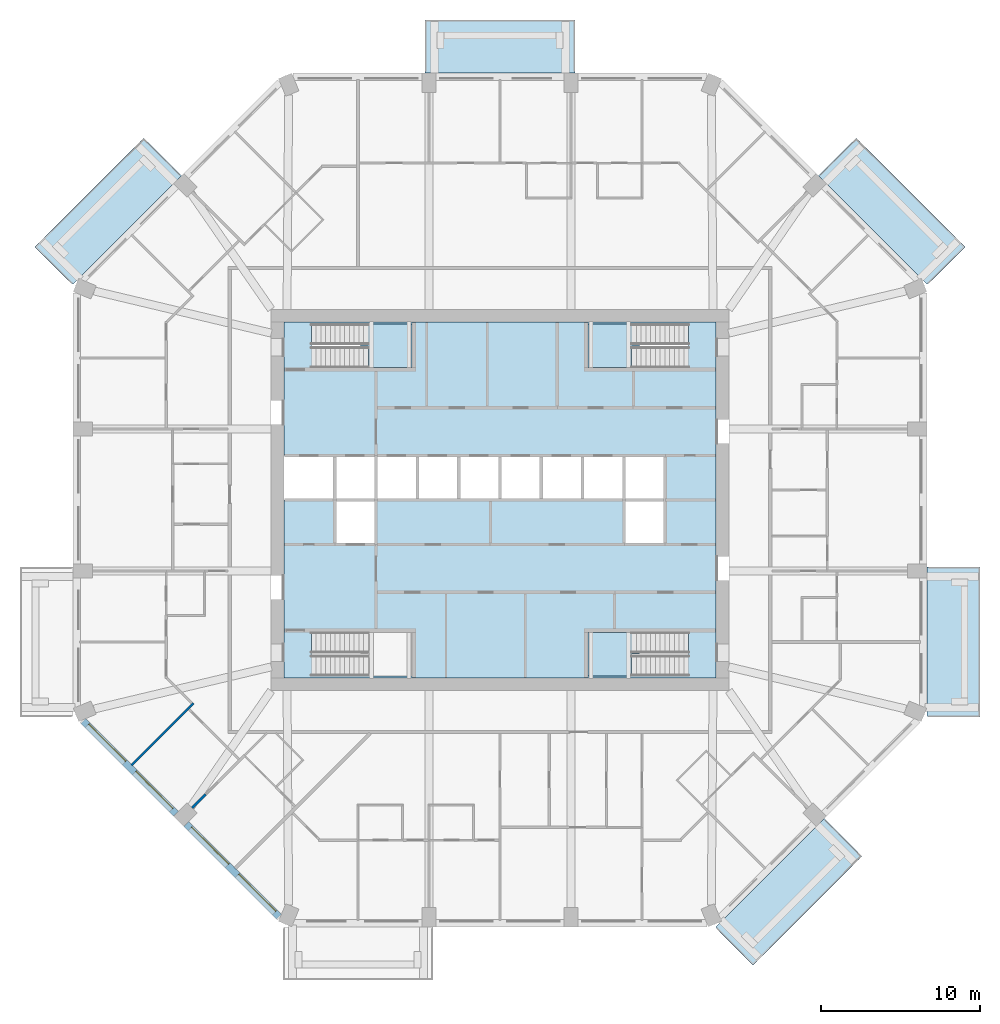
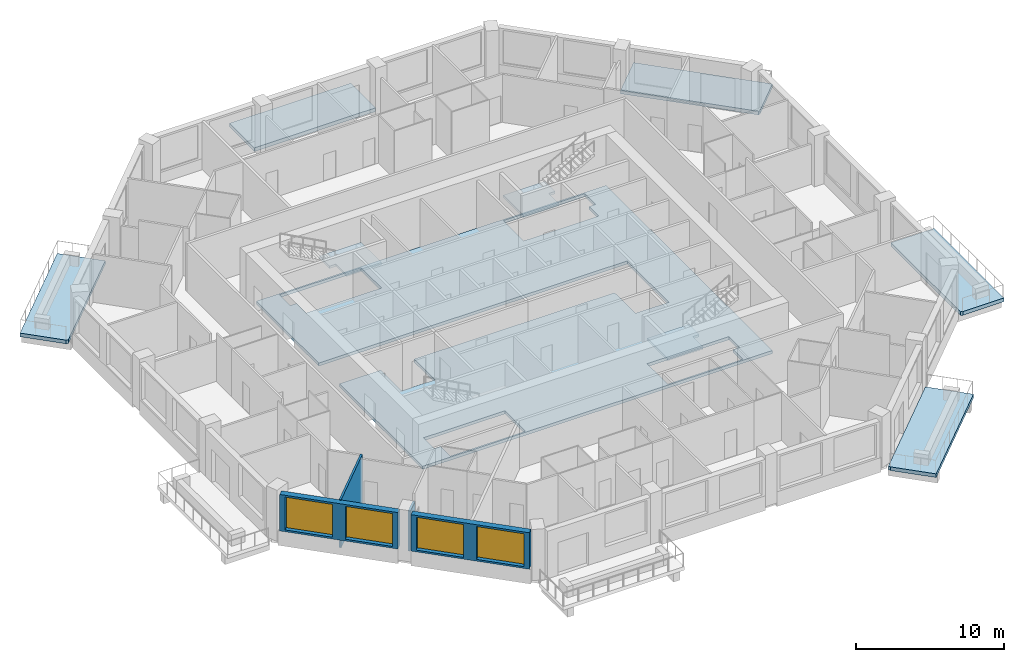
# One storey, part 2 of 12: 9 slabs, 4 walls, 4 windows, 4 openings, 3 elements without a shape of their own.
"""IFC4 building model written with IfcOpenShell, lengths in metres."""

import ifcopenshell
import ifcopenshell.guid

model = None  # the IFC model being written
_history = None  # IfcOwnerHistory: only IFC2X3 demands one
_inside = {}  # id of a spatial element -> (the spatial element, [elements in it])
_under = {}  # id of a project, library or spatial element -> (it, [spatial elements below it])
_declared = {}  # id of a project -> (the project, [libraries it declares])
_typed = {}  # id of a type object -> (the type object, [elements of that type])
_made_of = {}  # id of a material, layer set ... -> (it, [elements and type objects made of it])


def new_model(schema):
    """Start an empty IFC model of exactly this schema.

    Asked for "IFC4X3", IfcOpenShell would pick the latest addendum, in which some entities
    have other attributes; the version numbers below select the first issue.
    IFC2X3 requires an IfcOwnerHistory on every rooted entity: one is made here for all.
    """
    global model, _history
    if schema == "IFC4X3":
        model = ifcopenshell.file(schema_version=(4, 3, 0, 0))
    else:
        model = ifcopenshell.file(schema=schema)
    _inside.clear()
    _under.clear()
    _declared.clear()
    _typed.clear()
    _made_of.clear()
    _history = None
    if model.schema == "IFC2X3":
        org = make("IfcOrganization", Name="unknown")
        user = make(
            "IfcPersonAndOrganization",
            ThePerson=make("IfcPerson", FamilyName="unknown"),
            TheOrganization=org,
        )
        app = make(
            "IfcApplication",
            ApplicationDeveloper=org,
            Version="unknown",
            ApplicationFullName="unknown",
            ApplicationIdentifier="unknown",
        )
        _history = make(
            "IfcOwnerHistory",
            OwningUser=user,
            OwningApplication=app,
            ChangeAction="ADDED",
            CreationDate=0,
        )
    return model


def make(cls, **values):
    """One entity of the class cls with the attributes given. An attribute that is None is left unset."""
    return model.create_entity(
        cls, **{name: value for name, value in values.items() if value is not None}
    )


def rooted(cls, **values):
    """An entity with a GlobalId (a new one), such as an element, a storey or a relation."""
    return make(cls, GlobalId=ifcopenshell.guid.new(), OwnerHistory=_history, **values)


def si_unit(unit_type, name, prefix=None):
    """IfcSIUnit, for example si_unit("LENGTHUNIT", "METRE", prefix="MILLI")."""
    return make("IfcSIUnit", UnitType=unit_type, Prefix=prefix, Name=name)


def assignment(units):
    """IfcUnitAssignment: the units of a project."""
    return None if units is None else make("IfcUnitAssignment", Units=units)


def point(xyz):
    """IfcCartesianPoint."""
    return None if xyz is None else make("IfcCartesianPoint", Coordinates=xyz)


def direction(xyz):
    """IfcDirection."""
    return None if xyz is None else make("IfcDirection", DirectionRatios=xyz)


def frame(location, z_axis=None, x_axis=None):
    """IfcAxis2Placement3D, a coordinate frame: its origin and axes. An axis left out is left unset."""
    return make(
        "IfcAxis2Placement3D",
        Location=point(location),
        Axis=direction(z_axis),
        RefDirection=direction(x_axis),
    )


def frame_2d(location, x_axis=None):
    """IfcAxis2Placement2D, a coordinate frame in the plane: its origin and x axis."""
    return make(
        "IfcAxis2Placement2D", Location=point(location), RefDirection=direction(x_axis)
    )


def origin():
    """The frame at (0, 0, 0) with its axes left unset."""
    return frame((0.0, 0.0, 0.0))


def place(relative_to, where):
    """IfcLocalPlacement: puts the frame where relative to a parent placement (None: the world)."""
    return make(
        "IfcLocalPlacement", PlacementRelTo=relative_to, RelativePlacement=where
    )


def context(
    kind, dimensions, precision=None, world=None, true_north=None, identifier=None
):
    """IfcGeometricRepresentationContext, for example the 3D "Model" context."""
    return make(
        "IfcGeometricRepresentationContext",
        ContextIdentifier=identifier,
        ContextType=kind,
        CoordinateSpaceDimension=dimensions,
        Precision=precision,
        WorldCoordinateSystem=world,
        TrueNorth=true_north,
    )


def subcontext(parent, identifier, kind, view, scale=None):
    """IfcGeometricRepresentationSubContext, for example "Body" below "Model"."""
    return make(
        "IfcGeometricRepresentationSubContext",
        ContextIdentifier=identifier,
        ContextType=kind,
        ParentContext=parent,
        TargetScale=scale,
        TargetView=view,
    )


def project(units=None, contexts=None):
    """IfcProject with its units and contexts."""
    return rooted(
        "IfcProject",
        Name="project",
        RepresentationContexts=contexts,
        UnitsInContext=assignment(units),
    )


def spatial(cls, under=None, at=None, **own):
    """A site, building, storey or space (cls), placed at a placement, below another one or the project."""
    s = rooted(cls, ObjectPlacement=at, **own)
    if under is not None:
        _under.setdefault(under.id(), (under, []))[1].append(s)
    return s


def polyline(points):
    """IfcPolyline through the points."""
    return make("IfcPolyline", Points=[point(p) for p in points])


def profile(cls, at=None, kind="AREA", **sizes):
    """A parametric profile (cls). Its sizes go by their IFC names, for example OverallWidth=200.0."""
    return make(cls, ProfileType=kind, Position=at, **sizes)


def rectangle(**sizes):
    """IfcRectangleProfileDef."""
    return profile("IfcRectangleProfileDef", **sizes)


def outline(outer, holes=None, kind="AREA"):
    """IfcArbitraryClosedProfileDef: a profile drawn as a closed curve; with holes, ...WithVoids."""
    if holes is None:
        return make("IfcArbitraryClosedProfileDef", ProfileType=kind, OuterCurve=outer)
    return make(
        "IfcArbitraryProfileDefWithVoids",
        ProfileType=kind,
        OuterCurve=outer,
        InnerCurves=holes,
    )


def extrude(swept, where, along, depth):
    """IfcExtrudedAreaSolid: the profile swept, set in the frame where, extruded along a direction by depth."""
    return make(
        "IfcExtrudedAreaSolid",
        SweptArea=swept,
        Position=where,
        ExtrudedDirection=direction(along),
        Depth=depth,
    )


def shape(context_of_items, identifier, shape_type, items):
    """IfcShapeRepresentation: the items that make up one representation, for example the "Body"."""
    return make(
        "IfcShapeRepresentation",
        ContextOfItems=context_of_items,
        RepresentationIdentifier=identifier,
        RepresentationType=shape_type,
        Items=items,
    )


def material(Name=None, Category=None):
    """IfcMaterial."""
    return make("IfcMaterial", Name=Name, Category=Category)


def layer(
    of_material, thickness, ventilated=None, Name=None, Category=None, Priority=None
):
    """IfcMaterialLayer: one layer of a wall or slab, of a material (None: an air gap)."""
    return make(
        "IfcMaterialLayer",
        Material=of_material,
        LayerThickness=thickness,
        IsVentilated=ventilated,
        Name=Name,
        Category=Category,
        Priority=Priority,
    )


def layer_set(layers, Name=None):
    """IfcMaterialLayerSet."""
    return make("IfcMaterialLayerSet", MaterialLayers=layers, LayerSetName=Name)


def made_of(thing, what):
    """Note that an element or type object is made of a material, layer set ...; save() writes the relation."""
    if what is not None:
        _made_of.setdefault(what.id(), (what, []))[1].append(thing)
    return thing


def type_object(cls, material=None, **own):
    """A type object (cls), such as IfcWallType, which elements share."""
    return made_of(rooted(cls, **own), material)


def element(
    cls,
    number,
    at=None,
    inside=None,
    cuts=None,
    type_object=None,
    material=None,
    context=None,
    identifier="Body",
    shape_type=None,
    held_by="IfcProductDefinitionShape",
    body=None,
    shapes=None,
    **own,
):
    """One element of the class cls, such as IfcWall. Its Tag is "e" and its number.

    at: its placement. inside: the storey or other place that contains it. cuts: it is an
    opening in that element (IfcRelVoidsElement). A single representation is given by context,
    identifier, shape_type and body (its items); several are given by shapes. held_by: the class
    of the entity that holds the representations. save() writes the other relations.
    """
    e = rooted(cls, Tag="e%d" % number, ObjectPlacement=at, **own)
    if body is not None:
        shapes = [shape(context, identifier, shape_type, body)]
    if shapes is not None:
        e.Representation = make(held_by, Representations=shapes)
    if inside is not None:
        _inside.setdefault(inside.id(), (inside, []))[1].append(e)
    if cuts is not None:
        rooted(
            "IfcRelVoidsElement", RelatingBuildingElement=cuts, RelatedOpeningElement=e
        )
    if type_object is not None:
        _typed.setdefault(type_object.id(), (type_object, []))[1].append(e)
    return made_of(e, material)


def fill(opening, filler):
    """IfcRelFillsElement: the door or window that sits in an opening."""
    return rooted(
        "IfcRelFillsElement",
        RelatingOpeningElement=opening,
        RelatedBuildingElement=filler,
    )


def aggregate(whole, parts):
    """IfcRelAggregates: a whole, such as a stair, and the parts it consists of."""
    return rooted("IfcRelAggregates", RelatingObject=whole, RelatedObjects=parts)


def save(model, path):
    """Write the relations noted so far, then the file.

    IfcRelAggregates (storeys below a building ...), IfcRelContainedInSpatialStructure (elements
    in a storey), IfcRelDefinesByType, IfcRelAssociatesMaterial and IfcRelDeclares: one each for
    every whole, place, type object, material and project.
    """
    for whole, parts in _under.values():
        aggregate(whole, parts)
    for where, things in _inside.values():
        rooted(
            "IfcRelContainedInSpatialStructure",
            RelatedElements=things,
            RelatingStructure=where,
        )
    for kind, things in _typed.values():
        rooted("IfcRelDefinesByType", RelatedObjects=things, RelatingType=kind)
    for what, things in _made_of.values():
        rooted("IfcRelAssociatesMaterial", RelatedObjects=things, RelatingMaterial=what)
    for by, libraries in _declared.values():
        rooted("IfcRelDeclares", RelatingContext=by, RelatedDefinitions=libraries)
    model.write(path)


model = new_model("IFC4")

# Units and contexts
model_context = context("Model", 3, precision=1e-05, world=origin(), true_north=direction((0.0, 1.0)))
body_context = subcontext(model_context, "Body", "Model", "MODEL_VIEW")
ifc_project = project(units=[si_unit("LENGTHUNIT", "METRE"), si_unit("AREAUNIT", "SQUARE_METRE"), si_unit("VOLUMEUNIT", "CUBIC_METRE"), si_unit("PLANEANGLEUNIT", "RADIAN"), si_unit("MASSUNIT", "GRAM", prefix="KILO")], contexts=[model_context])

# Site, building, storey
site_placement = place(None, origin())
site = spatial("IfcSite", under=ifc_project, at=site_placement, CompositionType="ELEMENT")
building_placement = place(site_placement, origin())
building = spatial("IfcBuilding", under=site, at=building_placement, Name="Msitu Wima Residences", CompositionType="ELEMENT")
storey_placement = place(building_placement, frame((0.0, 0.0, 127.5)))
storey = spatial("IfcBuildingStorey", under=building, at=storey_placement, Name="L29", CompositionType="ELEMENT", Elevation=127.5)

# Slabs
ifc_material_1 = material(Name="Concrete C40/50", Category="concrete")
ifc_layer_1 = layer(ifc_material_1, 0.300048828125)
ifc_layer_set_1 = layer_set([ifc_layer_1], Name="Concrete C40/50")
slab_type_1 = type_object("IfcSlabType", Name="Balcony slab BS300", PredefinedType="FLOOR", material=ifc_layer_set_1)
slab_1_placement = place(storey_placement, frame((0.0, 0.0, -0.300048828125)))
element("IfcSlab", 1, at=slab_1_placement, inside=storey, type_object=slab_type_1, Name="Balcony E0 L29", PredefinedType="FLOOR", context=body_context, shape_type="SweptSolid", body=[
    extrude(outline(polyline([(26.85009765625, -13.105224609375), (26.85009765625, -13.105224609375), (26.85009765625, -4.918701171875), (26.85009765625, -4.918701171875), (26.85009765625, -4.21875), (30.199951171875, -4.21875), (30.199951171875, -13.656005859375), (27.003662109375, -13.656005859375), (26.85009765625, -13.59228515625), (26.85009765625, -13.105224609375), (26.85009765625, -13.105224609375)])), origin(), (0.0, 0.0, 1.0), 0.300048828125),
])
slab_2_placement = place(storey_placement, frame((0.0, 0.0, -0.300048828125)))
element("IfcSlab", 2, at=slab_2_placement, inside=storey, type_object=slab_type_1, Name="Balcony NE0 L29", PredefinedType="FLOOR", context=body_context, shape_type="SweptSolid", body=[
    extrude(outline(polyline([(22.4130859375, 22.766845703125), (29.263671875, 15.916015625), (27.003662109375, 13.656005859375), (26.85009765625, 13.59228515625), (20.04443359375, 20.39794921875), (22.4130859375, 22.766845703125)])), origin(), (0.0, 0.0, 1.0), 0.300048828125),
])
slab_3_placement = place(storey_placement, frame((0.0, 0.0, -0.300048828125)))
element("IfcSlab", 3, at=slab_3_placement, inside=storey, type_object=slab_type_1, Name="Balcony N1 L29", PredefinedType="FLOOR", context=body_context, shape_type="SweptSolid", body=[
    extrude(outline(polyline([(-4.0185546875, 26.85009765625), (-4.0185546875, 26.85009765625), (-4.71875, 26.85009765625), (-4.71875, 30.199951171875), (4.71875, 30.199951171875), (4.71875, 26.85009765625), (4.0185546875, 26.85009765625), (4.0185546875, 26.85009765625), (-4.0185546875, 26.85009765625)])), origin(), (0.0, 0.0, 1.0), 0.300048828125),
])
slab_4_placement = place(storey_placement, frame((0.0, 0.0, -0.300048828125)))
element("IfcSlab", 4, at=slab_4_placement, inside=storey, type_object=slab_type_1, Name="Balcony NW1 L29", PredefinedType="FLOOR", context=body_context, shape_type="SweptSolid", body=[
    extrude(outline(polyline([(-29.263671875, 15.916015625), (-22.4130859375, 22.766845703125), (-20.04443359375, 20.39794921875), (-26.85009765625, 13.59228515625), (-27.003662109375, 13.656005859375), (-29.263671875, 15.916015625)])), origin(), (0.0, 0.0, 1.0), 0.300048828125),
])
slab_5_placement = place(storey_placement, frame((0.0, 0.0, -0.300048828125)))
element("IfcSlab", 5, at=slab_5_placement, inside=storey, type_object=slab_type_1, Name="Balcony SE0 L29", PredefinedType="FLOOR", context=body_context, shape_type="SweptSolid", body=[
    extrude(outline(polyline([(22.766845703125, -22.4130859375), (15.916015625, -29.263671875), (13.656005859375, -27.003662109375), (13.59228515625, -26.85009765625), (20.39794921875, -20.04443359375), (22.766845703125, -22.4130859375)])), origin(), (0.0, 0.0, 1.0), 0.300048828125),
])
ifc_layer_2 = layer(ifc_material_1, 0.25)
ifc_layer_set_2 = layer_set([ifc_layer_2], Name="Concrete C40/50")
slab_type_2 = type_object("IfcSlabType", Name="Core floor CF250", PredefinedType="FLOOR", material=ifc_layer_set_2)
slab_6_placement = place(storey_placement, frame((0.0, 0.0, -0.25)))
element("IfcSlab", 6, at=slab_6_placement, inside=storey, type_object=slab_type_2, Name="Core floor", PredefinedType="FLOOR", context=body_context, shape_type="SweptSolid", body=[
    extrude(outline(polyline([(-13.60009765625, 11.199951171875), (-13.60009765625, 2.800048828125), (-10.39990234375, 2.800048828125), (-7.800048828125, 2.800048828125), (-5.199951171875, 2.800048828125), (-2.60009765625, 2.800048828125), (0.0, 2.800048828125), (2.60009765625, 2.800048828125), (5.199951171875, 2.800048828125), (7.800048828125, 2.800048828125), (10.39990234375, 2.800048828125), (10.39990234375, 0.0), (10.39990234375, -2.800048828125), (7.800048828125, -2.800048828125), (7.800048828125, 0.0), (5.199951171875, 0.0), (2.60009765625, 0.0), (0.0, 0.0), (-2.60009765625, 0.0), (-5.199951171875, 0.0), (-7.800048828125, 0.0), (-7.800048828125, -2.800048828125), (-10.39990234375, -2.800048828125), (-10.39990234375, 0.0), (-13.60009765625, 0.0), (-13.60009765625, -11.199951171875), (13.60009765625, -11.199951171875), (13.60009765625, 11.199951171875), (-13.60009765625, 11.199951171875)]), holes=[polyline([(-11.375, -11.074951171875), (-11.375, -9.77490234375), (-11.87451171875, -9.77490234375), (-11.87451171875, -8.324951171875), (-5.52490234375, -8.324951171875), (-5.52490234375, -11.074951171875), (-11.375, -11.074951171875)]), polyline([(-11.375, 9.625), (-11.87451171875, 9.625), (-11.87451171875, 11.074951171875), (-5.52490234375, 11.074951171875), (-5.52490234375, 8.324951171875), (-11.375, 8.324951171875), (-11.375, 9.625)]), polyline([(11.375, -9.77490234375), (11.375, -11.074951171875), (5.52490234375, -11.074951171875), (5.52490234375, -8.324951171875), (11.87451171875, -8.324951171875), (11.87451171875, -9.77490234375), (11.375, -9.77490234375)]), polyline([(11.375, 9.625), (11.375, 8.324951171875), (5.52490234375, 8.324951171875), (5.52490234375, 11.074951171875), (11.87451171875, 11.074951171875), (11.87451171875, 9.625), (11.375, 9.625)])]), origin(), (0.0, 0.0, 1.0), 0.25),
])

# Stair, slab
stair_type = type_object("IfcStairType", Name="Exit stair ES1615-130", PredefinedType="HALF_TURN_STAIR", material=ifc_material_1)
stair_1_placement = place(storey_placement, origin())
stair_1 = element("IfcStair", 7, at=stair_1_placement, inside=storey, type_object=stair_type, Name="Exit stair 1", PredefinedType="HALF_TURN_STAIR")
ifc_layer_3 = layer(ifc_material_1, 0.199951171875)
ifc_layer_set_3 = layer_set([ifc_layer_3], Name="Concrete C40/50")
slab_type_3 = type_object("IfcSlabType", Name="Stair landing SL200", PredefinedType="LANDING", material=ifc_layer_set_3)
slab_7_placement = place(storey_placement, frame((0.0, 0.0, 1.89990234375)))
slab_7 = element("IfcSlab", 8, at=slab_7_placement, type_object=slab_type_3, Name="S1 landing 1", PredefinedType="LANDING", context=body_context, shape_type="SweptSolid", body=[
    extrude(outline(polyline([(-5.52490234375, 8.324951171875), (-8.275390625, 8.324951171875), (-8.275390625, 9.699951171875), (-8.77490234375, 9.699951171875), (-8.77490234375, 11.074951171875), (-5.52490234375, 11.074951171875), (-5.52490234375, 8.324951171875)])), origin(), (0.0, 0.0, 1.0), 0.2001953125),
])
aggregate(stair_1, [slab_7])

stair_2_placement = place(storey_placement, origin())
stair_2 = element("IfcStair", 9, at=stair_2_placement, inside=storey, type_object=stair_type, Name="Exit stair 3", PredefinedType="HALF_TURN_STAIR")
slab_8_placement = place(storey_placement, frame((0.0, 0.0, 1.89990234375)))
slab_8 = element("IfcSlab", 10, at=slab_8_placement, type_object=slab_type_3, Name="S3 landing 1", PredefinedType="LANDING", context=body_context, shape_type="SweptSolid", body=[
    extrude(outline(polyline([(5.52490234375, 8.324951171875), (8.275390625, 8.324951171875), (8.275390625, 9.699951171875), (8.77490234375, 9.699951171875), (8.77490234375, 11.074951171875), (5.52490234375, 11.074951171875), (5.52490234375, 8.324951171875)])), origin(), (0.0, 0.0, 1.0), 0.2001953125),
])
aggregate(stair_2, [slab_8])

stair_3_placement = place(storey_placement, origin())
stair_3 = element("IfcStair", 11, at=stair_3_placement, inside=storey, type_object=stair_type, Name="Exit stair 4", PredefinedType="HALF_TURN_STAIR")
slab_9_placement = place(storey_placement, frame((0.0, 0.0, 1.89990234375)))
slab_9 = element("IfcSlab", 12, at=slab_9_placement, type_object=slab_type_3, Name="S4 landing 1", PredefinedType="LANDING", context=body_context, shape_type="SweptSolid", body=[
    extrude(outline(polyline([(5.52490234375, -11.074951171875), (8.275390625, -11.074951171875), (8.275390625, -9.699951171875), (8.77490234375, -9.699951171875), (8.77490234375, -8.324951171875), (5.52490234375, -8.324951171875), (5.52490234375, -11.074951171875)])), origin(), (0.0, 0.0, 1.0), 0.2001953125),
])
aggregate(stair_3, [slab_9])

# Wall, openings, windows
ifc_material_2 = material(Name="Brick (red buff mix)", Category="masonry")
ifc_layer_4 = layer(ifc_material_2, 0.449951171875)
ifc_layer_set_4 = layer_set([ifc_layer_4], Name="Brick (red buff mix)")
wall_type_1 = type_object("IfcWallType", Name="Brick infill wall BW450", PredefinedType="SOLIDWALL", material=ifc_layer_set_4)
wall_1_placement = place(storey_placement, frame((-26.214599609375, -13.909423828125, 0.89990234375), z_axis=(0.0, 0.0, 1.0), x_axis=(0.707106781187, -0.707106781187, 0.0)))
wall_1 = element("IfcWall", 13, at=wall_1_placement, inside=storey, type_object=wall_type_1, Name="Brick infill wall L29 SW0", PredefinedType="SOLIDWALL", context=body_context, shape_type="SweptSolid", body=[
    extrude(rectangle(XDim=8.251220703125, YDim=0.449951171875, at=frame_2d((4.12548828125, 0.0))), origin(), (0.0, 0.0, 1.0), 3.0),
])
opening_1_placement = place(wall_1_placement, frame((0.37548828125, 0.0, 0.14990234375)))
opening_1 = element("IfcOpeningElement", 14, at=opening_1_placement, cuts=wall_1, Name="Opening W27-29.025", PredefinedType="OPENING", context=body_context, shape_type="SweptSolid", body=[
    extrude(rectangle(XDim=3.300048828125, YDim=2.699951171875, at=frame_2d((1.64990234375, 1.35009765625))), frame((0.0, 0.23486328125, 0.0), z_axis=(0.0, -1.0, 0.0), x_axis=(1.0, 0.0, 0.0)), (0.0, 0.0, 1.0), 0.469970703125),
])
opening_2_placement = place(wall_1_placement, frame((4.57568359375, 0.0, 0.14990234375)))
opening_2 = element("IfcOpeningElement", 15, at=opening_2_placement, cuts=wall_1, Name="Opening W27-29.026", PredefinedType="OPENING", context=body_context, shape_type="SweptSolid", body=[
    extrude(rectangle(XDim=3.300048828125, YDim=2.699951171875, at=frame_2d((1.64990234375, 1.35009765625))), frame((0.0, 0.23486328125, 0.0), z_axis=(0.0, -1.0, 0.0), x_axis=(1.0, 0.0, 0.0)), (0.0, 0.0, 1.0), 0.469970703125),
])
ifc_material_3 = material(Name="Anodised aluminium, bronze finish, clear low-emissivity double glazing", Category="aluminium")
window_type = type_object("IfcWindowType", Name="Window W3300x2700", PartitioningType="DOUBLE_PANEL_VERTICAL", PredefinedType="WINDOW", material=ifc_material_3)
window_1_placement = place(opening_1_placement, origin())
window_1 = element("IfcWindow", 16, at=window_1_placement, inside=storey, type_object=window_type, Name="Window L29 SW0.1", OverallHeight=2.699951171875, OverallWidth=3.300048828125, PartitioningType="SINGLE_PANEL", PredefinedType="WINDOW", context=body_context, shape_type="SweptSolid", body=[
    extrude(rectangle(XDim=3.300048828125, YDim=2.699951171875, at=frame_2d((1.64990234375, 1.35009765625))), frame((0.0, 0.135009765625, 0.0), z_axis=(0.0, -1.0, 0.0), x_axis=(1.0, 0.0, 0.0)), (0.0, 0.0, 1.0), 0.06005859375),
])
fill(opening_1, window_1)
window_2_placement = place(opening_2_placement, origin())
window_2 = element("IfcWindow", 17, at=window_2_placement, inside=storey, type_object=window_type, Name="Window L29 SW0.2", OverallHeight=2.699951171875, OverallWidth=3.300048828125, PartitioningType="SINGLE_PANEL", PredefinedType="WINDOW", context=body_context, shape_type="SweptSolid", body=[
    extrude(rectangle(XDim=3.300048828125, YDim=2.699951171875, at=frame_2d((1.64990234375, 1.35009765625))), frame((0.0, 0.135009765625, 0.0), z_axis=(0.0, -1.0, 0.0), x_axis=(1.0, 0.0, 0.0)), (0.0, 0.0, 1.0), 0.06005859375),
])
fill(opening_2, window_2)

wall_2_placement = place(storey_placement, frame((-19.743896484375, -20.380126953125, 0.89990234375), z_axis=(0.0, 0.0, 1.0), x_axis=(0.707106781187, -0.707106781187, 0.0)))
wall_2 = element("IfcWall", 18, at=wall_2_placement, inside=storey, type_object=wall_type_1, Name="Brick infill wall L29 SW1", PredefinedType="SOLIDWALL", context=body_context, shape_type="SweptSolid", body=[
    extrude(rectangle(XDim=8.251220703125, YDim=0.449951171875, at=frame_2d((4.12548828125, 0.0))), origin(), (0.0, 0.0, 1.0), 3.0),
])
opening_3_placement = place(wall_2_placement, frame((0.37548828125, 0.0, 0.14990234375)))
opening_3 = element("IfcOpeningElement", 19, at=opening_3_placement, cuts=wall_2, Name="Opening W27-29.027", PredefinedType="OPENING", context=body_context, shape_type="SweptSolid", body=[
    extrude(rectangle(XDim=3.300048828125, YDim=2.699951171875, at=frame_2d((1.64990234375, 1.35009765625))), frame((0.0, 0.23486328125, 0.0), z_axis=(0.0, -1.0, 0.0), x_axis=(1.0, 0.0, 0.0)), (0.0, 0.0, 1.0), 0.469970703125),
])
opening_4_placement = place(wall_2_placement, frame((4.57568359375, 0.0, 0.14990234375)))
opening_4 = element("IfcOpeningElement", 20, at=opening_4_placement, cuts=wall_2, Name="Opening W27-29.028", PredefinedType="OPENING", context=body_context, shape_type="SweptSolid", body=[
    extrude(rectangle(XDim=3.300048828125, YDim=2.699951171875, at=frame_2d((1.64990234375, 1.35009765625))), frame((0.0, 0.23486328125, 0.0), z_axis=(0.0, -1.0, 0.0), x_axis=(1.0, 0.0, 0.0)), (0.0, 0.0, 1.0), 0.469970703125),
])
window_3_placement = place(opening_3_placement, origin())
window_3 = element("IfcWindow", 21, at=window_3_placement, inside=storey, type_object=window_type, Name="Window L29 SW1.1", OverallHeight=2.699951171875, OverallWidth=3.300048828125, PartitioningType="SINGLE_PANEL", PredefinedType="WINDOW", context=body_context, shape_type="SweptSolid", body=[
    extrude(rectangle(XDim=3.300048828125, YDim=2.699951171875, at=frame_2d((1.64990234375, 1.35009765625))), frame((0.0, 0.135009765625, 0.0), z_axis=(0.0, -1.0, 0.0), x_axis=(1.0, 0.0, 0.0)), (0.0, 0.0, 1.0), 0.06005859375),
])
fill(opening_3, window_3)
window_4_placement = place(opening_4_placement, origin())
window_4 = element("IfcWindow", 22, at=window_4_placement, inside=storey, type_object=window_type, Name="Window L29 SW1.2", OverallHeight=2.699951171875, OverallWidth=3.300048828125, PartitioningType="SINGLE_PANEL", PredefinedType="WINDOW", context=body_context, shape_type="SweptSolid", body=[
    extrude(rectangle(XDim=3.300048828125, YDim=2.699951171875, at=frame_2d((1.64990234375, 1.35009765625))), frame((0.0, 0.135009765625, 0.0), z_axis=(0.0, -1.0, 0.0), x_axis=(1.0, 0.0, 0.0)), (0.0, 0.0, 1.0), 0.06005859375),
])
fill(opening_4, window_4)

# Walls
ifc_material_4 = material(Name="Plaster")
ifc_layer_5 = layer(ifc_material_4, 0.011962890625, Name="Plaster")
ifc_material_5 = material(Name="Concrete blockwork", Category="masonry")
ifc_layer_6 = layer(ifc_material_5, 0.1259765625, Name="Concrete blockwork")
ifc_layer_7 = layer(ifc_material_4, 0.011962890625, Name="Plaster")
ifc_layer_set_5 = layer_set([ifc_layer_5, ifc_layer_6, ifc_layer_7], Name="Concrete blockwork")
wall_type_2 = type_object("IfcWallType", Name="Partition PW150", PredefinedType="PARTITIONING", material=ifc_layer_set_5)
wall_3_placement = place(storey_placement, frame((-23.1904296875, -16.693359375, 0.0), z_axis=(0.0, 0.0, 1.0), x_axis=(0.707106781187, 0.707106781187, 0.0)))
element("IfcWall", 23, at=wall_3_placement, inside=storey, type_object=wall_type_2, Name="Partition", PredefinedType="PARTITIONING", context=body_context, shape_type="SweptSolid", body=[
    extrude(rectangle(XDim=5.530029296875, YDim=0.14990234375, at=frame_2d((2.76513671875, 0.0))), origin(), (0.0, 0.0, 1.0), 3.949951171875),
])
wall_4_placement = place(storey_placement, frame((-19.37255859375, -19.37255859375, 0.0), z_axis=(0.0, 0.0, 1.0), x_axis=(0.707106781187, 0.707106781187, 0.0)))
element("IfcWall", 24, at=wall_4_placement, inside=storey, type_object=wall_type_2, Name="Partition", PredefinedType="PARTITIONING", context=body_context, shape_type="SweptSolid", body=[
    extrude(rectangle(XDim=1.209228515625, YDim=0.14990234375, at=frame_2d((0.6044921875, 0.0))), origin(), (0.0, 0.0, 1.0), 3.300048828125),
])

save(model, "model.ifc")
